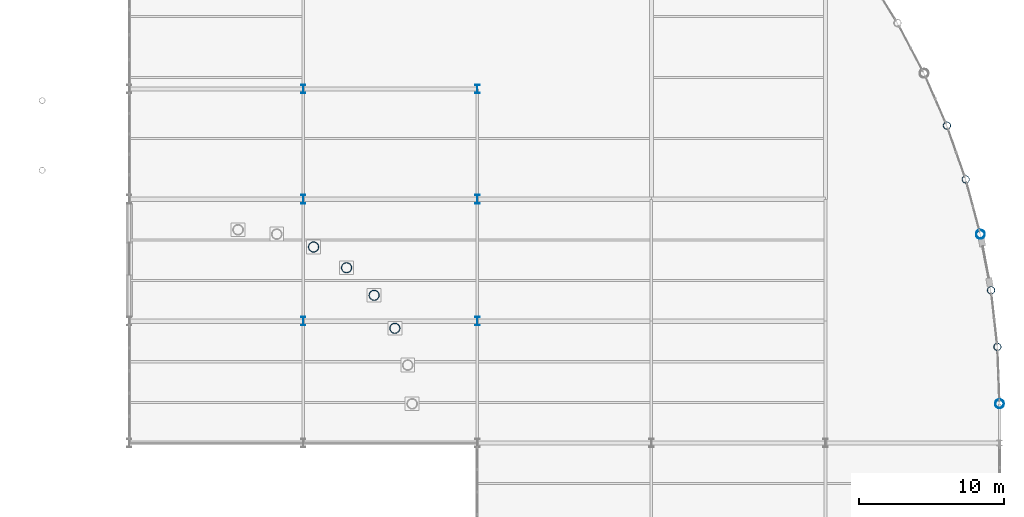
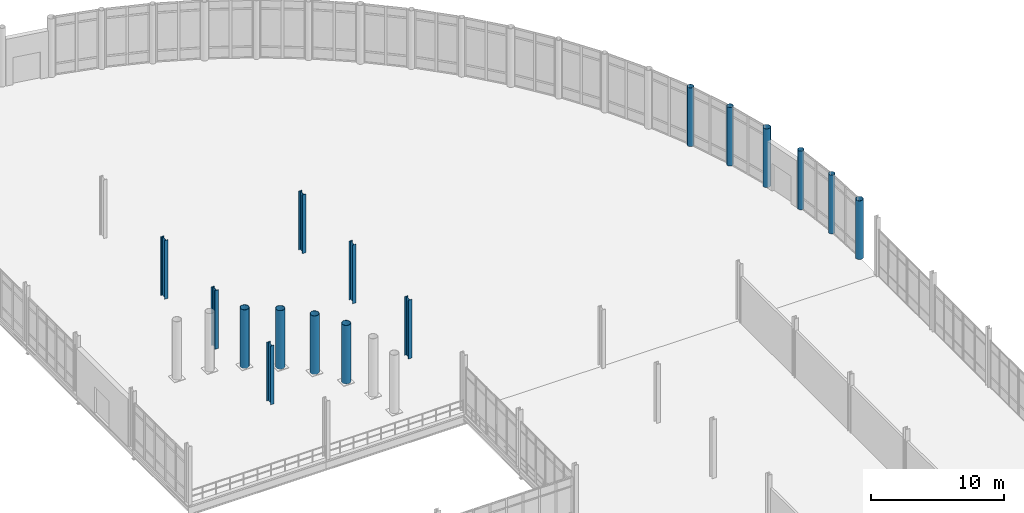
# One storey, part 18 of 111: 16 columns.
"""IFC4 building model written with IfcOpenShell, lengths in metres."""

from ifc_helpers import new_model, si_unit, direction, frame, origin, origin_2d, place, context, subcontext, project, spatial, hollow_circle, i_section, extrude, material, material_profile, profile_set, type_object, element, save


model = new_model("IFC4")

# Units and contexts
model_context = context("Model", 3, precision=1e-05, world=origin(), true_north=direction((0.0, 1.0)))
body_context = subcontext(model_context, "Body", "Model", "MODEL_VIEW")
ifc_project = project(units=[si_unit("LENGTHUNIT", "METRE"), si_unit("AREAUNIT", "SQUARE_METRE"), si_unit("VOLUMEUNIT", "CUBIC_METRE"), si_unit("PLANEANGLEUNIT", "RADIAN"), si_unit("MASSUNIT", "GRAM", prefix="KILO"), si_unit("THERMODYNAMICTEMPERATUREUNIT", "KELVIN"), si_unit("POWERUNIT", "WATT")], contexts=[model_context])

# Site, building, storey
site_placement = place(None, origin())
site = spatial("IfcSite", under=ifc_project, at=site_placement, CompositionType="ELEMENT")
building_placement = place(site_placement, origin())
building = spatial("IfcBuilding", under=site, at=building_placement, Name="Tembeka Court Mobility Hub", CompositionType="ELEMENT")
storey_placement = place(building_placement, origin())
storey = spatial("IfcBuildingStorey", under=building, at=storey_placement, Name="L00", CompositionType="ELEMENT", Elevation=0.0)

# Columns
ifc_material = material(Name="Steel S355", Category="steel")
ifc_material_profile_1 = material_profile(ifc_material, i_section(OverallWidth=0.300048828125, OverallDepth=0.60009765625, WebThickness=0.015380859375, FlangeThickness=0.030029296875, FilletRadius=0.027099609375, at=origin_2d()), Name="HEB 600")
ifc_profile_set_1 = profile_set([ifc_material_profile_1], Name="Steel S355")
column_type_1 = type_object("IfcColumnType", Name="COL-C06", PredefinedType="COLUMN", material=ifc_profile_set_1)
for number, where, z_axis, x_axis, name in (
    (1, (128.39990234375, 72.0, 0.0), (0.0, 0.0, 1.0), (1.0, 0.0, 0.0), "Column C06 (L00-180)"),
    (2, (128.39990234375, 80.39990234375, 0.0), (0.0, 0.0, 1.0), (1.0, 0.0, 0.0), "Column C06 (L00-181)"),
    (3, (128.39990234375, 88.0, 0.0), (0.0, 0.0, 1.0), (1.0, 0.0, 0.0), "Column C06 (L00-182)"),
    (4, (140.39990234375, 72.0, 0.0), (0.0, 0.0, 1.0), (1.0, 0.0, 0.0), "Column C06 (L00-200)"),
    (5, (140.39990234375, 80.39990234375, 0.0), (0.0, 0.0, 1.0), (1.0, 0.0, 0.0), "Column C06 (L00-201)"),
    (6, (140.39990234375, 88.0, 0.0), (0.0, 0.0, 1.0), (1.0, 0.0, 0.0), "Column C06 (L00-202)"),
):
    element("IfcColumn", number, at=place(storey_placement, frame(where, z_axis=z_axis, x_axis=x_axis)), inside=storey, type_object=column_type_1, Name=name, PredefinedType="COLUMN", context=body_context, shape_type="SweptSolid", body=[
        extrude(i_section(OverallWidth=0.300048828125, OverallDepth=0.60009765625, WebThickness=0.015380859375, FlangeThickness=0.030029296875, FilletRadius=0.027099609375, at=origin_2d()), origin(), (0.0, 0.0, 1.0), 5.39990234375),
    ])
ifc_material_profile_2 = material_profile(ifc_material, hollow_circle(Radius=0.304931640625, WallThickness=0.02001953125, at=origin_2d()), Name="CHS 610x20")
ifc_profile_set_2 = profile_set([ifc_material_profile_2], Name="Steel S355")
column_type_2 = type_object("IfcColumnType", Name="COL-C07", PredefinedType="COLUMN", material=ifc_profile_set_2)
for number, where, z_axis, x_axis, name in (
    (7, (175.083740234375, 77.982421875, 0.0), (0.0, 0.0, 1.0), (1.0, 0.0, 0.0), "Column C07 (L00-236)"),
    (8, (176.39990234375, 66.300048828125, 0.0), (0.0, 0.0, 1.0), (1.0, 0.0, 0.0), "Column C07 (L00-246)"),
):
    element("IfcColumn", number, at=place(storey_placement, frame(where, z_axis=z_axis, x_axis=x_axis)), inside=storey, type_object=column_type_2, Name=name, PredefinedType="COLUMN", context=body_context, shape_type="SweptSolid", body=[
        extrude(hollow_circle(Radius=0.304931640625, WallThickness=0.02001953125, at=origin_2d()), origin(), (0.0, 0.0, 1.0), 5.39990234375),
    ])
ifc_material_profile_3 = material_profile(ifc_material, hollow_circle(Radius=0.25390625, WallThickness=0.01611328125, at=origin_2d()), Name="CHS 508x16")
ifc_profile_set_3 = profile_set([ifc_material_profile_3], Name="Steel S355")
column_type_3 = type_object("IfcColumnType", Name="COL-C08", PredefinedType="COLUMN", material=ifc_profile_set_3)
for number, where, z_axis, x_axis, name in (
    (9, (172.77099609375, 85.48046875, 0.0), (0.0, 0.0, 1.0), (1.0, 0.0, 0.0), "Column C08 (L00-234)"),
    (10, (174.067626953125, 81.774658203125, 0.0), (0.0, 0.0, 1.0), (1.0, 0.0, 0.0), "Column C08 (L00-235)"),
    (11, (175.813720703125, 74.124755859375, 0.0), (0.0, 0.0, 1.0), (1.0, 0.0, 0.0), "Column C08 (L00-237)"),
    (12, (176.253173828125, 70.223388671875, 0.0), (0.0, 0.0, 1.0), (1.0, 0.0, 0.0), "Column C08 (L00-238)"),
):
    element("IfcColumn", number, at=place(storey_placement, frame(where, z_axis=z_axis, x_axis=x_axis)), inside=storey, type_object=column_type_3, Name=name, PredefinedType="COLUMN", context=body_context, shape_type="SweptSolid", body=[
        extrude(hollow_circle(Radius=0.25390625, WallThickness=0.01611328125, at=origin_2d()), origin(), (0.0, 0.0, 1.0), 5.39990234375),
    ])
ifc_material_profile_4 = material_profile(ifc_material, hollow_circle(Radius=0.35546875, WallThickness=0.02490234375, at=origin_2d()), Name="CHS 711x25")
ifc_profile_set_4 = profile_set([ifc_material_profile_4], Name="Steel S355")
column_type_4 = type_object("IfcColumnType", Name="COL-MST01", PredefinedType="COLUMN", material=ifc_profile_set_4)
for number, where, z_axis, x_axis, name in (
    (13, (129.106689453125, 77.111572265625, 0.0), (0.0, 0.0, 1.0), (1.0, 0.0, 0.0), "Concourse roof mast M6 (L00)"),
    (14, (131.3818359375, 75.681884765625, 0.0), (0.0, 0.0, 1.0), (1.0, 0.0, 0.0), "Concourse roof mast M5 (L00)"),
    (15, (133.281982421875, 73.781982421875, 0.0), (0.0, 0.0, 1.0), (1.0, 0.0, 0.0), "Concourse roof mast M4 (L00)"),
    (16, (134.711669921875, 71.506591796875, 0.0), (0.0, 0.0, 1.0), (1.0, 0.0, 0.0), "Concourse roof mast M3 (L00)"),
):
    element("IfcColumn", number, at=place(storey_placement, frame(where, z_axis=z_axis, x_axis=x_axis)), inside=storey, type_object=column_type_4, Name=name, PredefinedType="COLUMN", context=body_context, shape_type="SweptSolid", body=[
        extrude(hollow_circle(Radius=0.35546875, WallThickness=0.02490234375, at=origin_2d()), origin(), (0.0, 0.0, 1.0), 5.39990234375),
    ])

save(model, "model.ifc")
